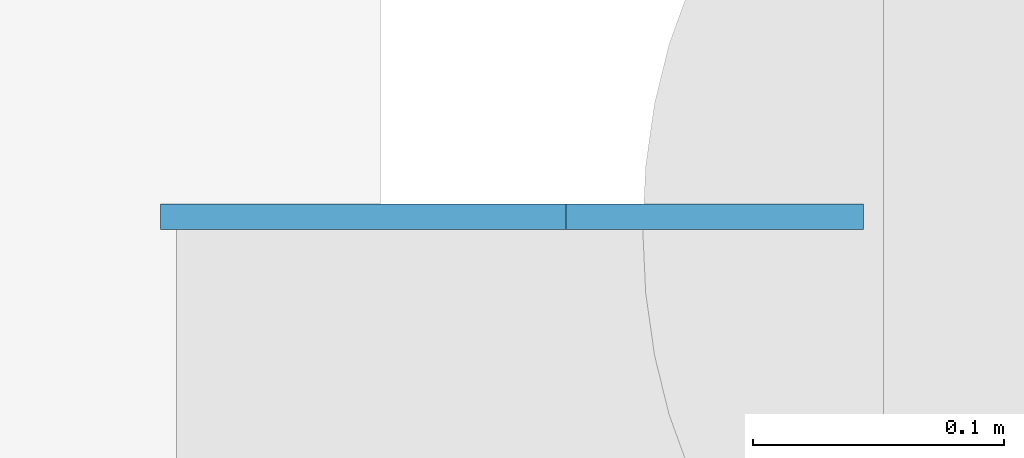
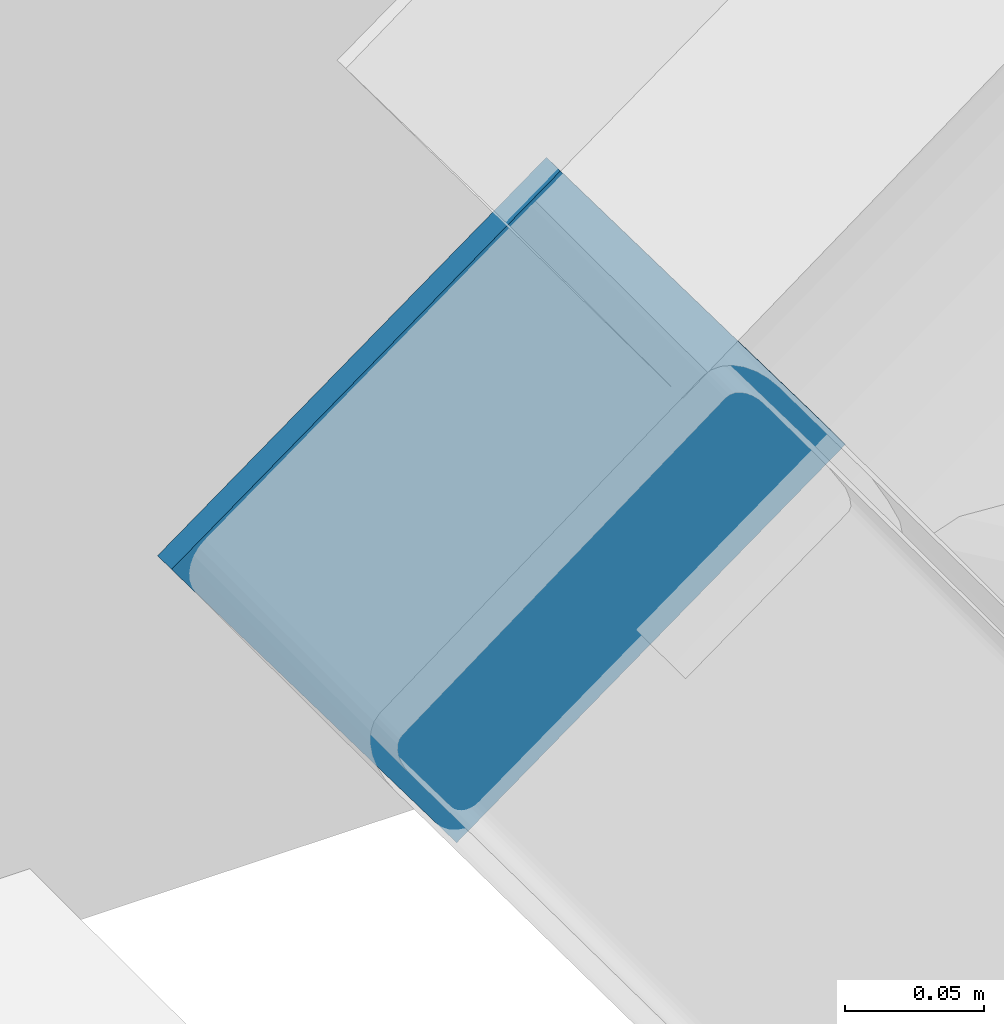
# One storey, part 125 of 153: 1 discrete accessory.
"""IFC4 building model written with IfcOpenShell, lengths in metres."""

from ifc_helpers import new_model, si_unit, direction, frame, origin, origin_2d, place, context, subcontext, project, spatial, rectangle, extrude, material, type_object, element, save


model = new_model("IFC4")

# Units and contexts
model_context = context("Model", 3, precision=1e-05, world=origin(), true_north=direction((0.0, 1.0)))
body_context = subcontext(model_context, "Body", "Model", "MODEL_VIEW")
ifc_project = project(units=[si_unit("LENGTHUNIT", "METRE"), si_unit("AREAUNIT", "SQUARE_METRE"), si_unit("VOLUMEUNIT", "CUBIC_METRE"), si_unit("PLANEANGLEUNIT", "RADIAN"), si_unit("MASSUNIT", "GRAM", prefix="KILO")], contexts=[model_context])

# Site, building, storey
site_placement = place(None, origin())
site = spatial("IfcSite", under=ifc_project, at=site_placement, CompositionType="ELEMENT")
building_placement = place(site_placement, origin())
building = spatial("IfcBuilding", under=site, at=building_placement, Name="Baradari Gate Terminus", CompositionType="ELEMENT")
storey_placement = place(building_placement, frame((0.0, 0.0, 11.699951171875)))
storey = spatial("IfcBuildingStorey", under=building, at=storey_placement, Name="L02", CompositionType="ELEMENT", Elevation=11.699951171875)

# Discrete accessory
ifc_material = material(Name="Steel S355", Category="steel")
discrete_accessory_type = type_object("IfcDiscreteAccessoryType", Name="Hollow section end plate EP-1 200x200x10", PredefinedType="ANCHORPLATE", material=ifc_material)
discrete_accessory_placement = place(storey_placement, frame((134.852294921875, 107.39990234375, 0.323974609375), z_axis=(0.0, 1.0, 0.0), x_axis=(-0.80640499586, 0.0, -0.591363663621)))
element("IfcDiscreteAccessory", 1, at=discrete_accessory_placement, inside=storey, type_object=discrete_accessory_type, Name="End plate EP-1 at the end of TR/L02/VP3-PU00", PredefinedType="ANCHORPLATE", context=body_context, shape_type="SweptSolid", body=[
    extrude(rectangle(XDim=0.199951171875, YDim=0.199951171875, at=origin_2d()), origin(), (0.0, 0.0, 1.0), 0.010009765625),
])

save(model, "model.ifc")
